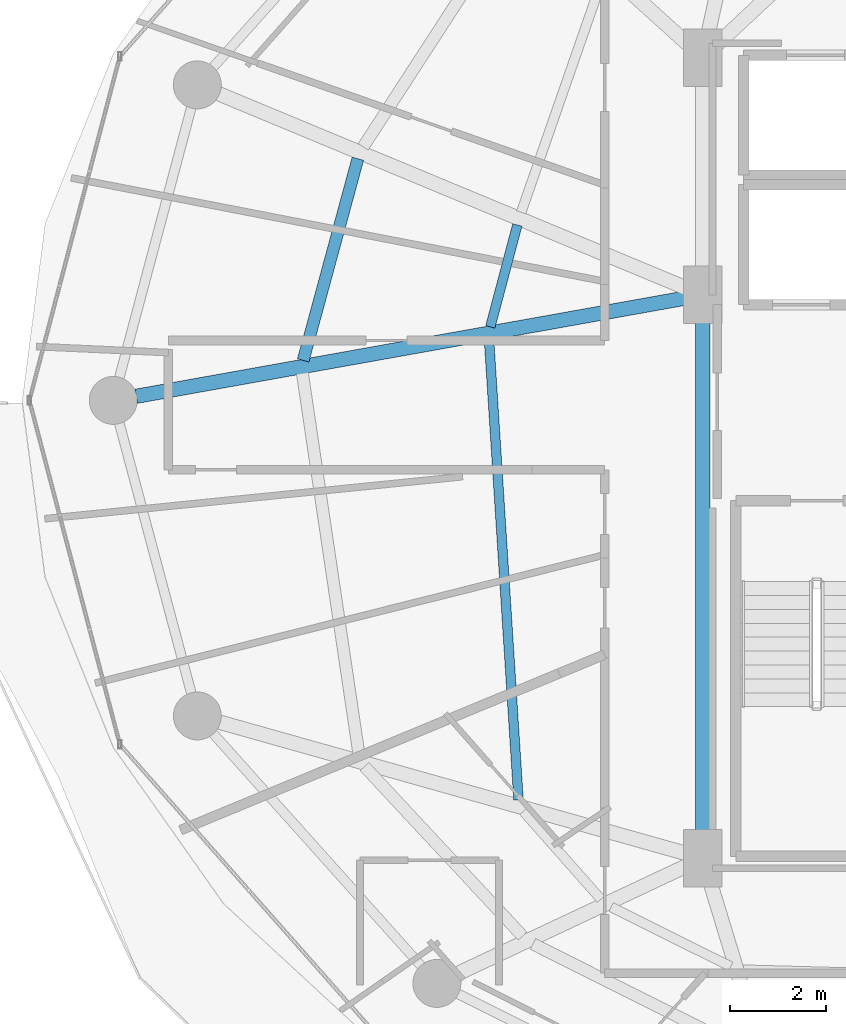
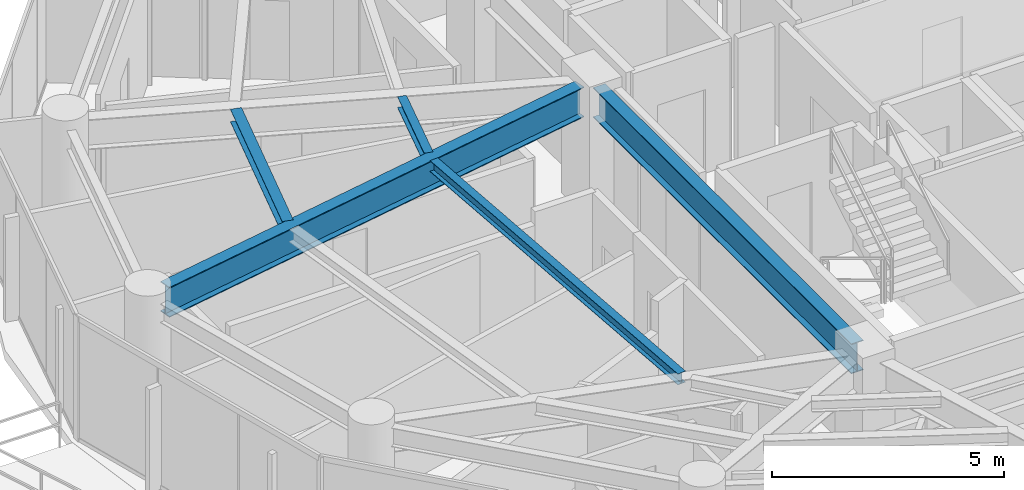
# One storey, part 7 of 28: 5 beams.
"""IFC4 building model written with IfcOpenShell, lengths in metres."""

from ifc_helpers import new_model, si_unit, direction, frame, origin, origin_2d, place, context, subcontext, project, spatial, i_section, extrude, material, material_profile, profile_set, type_object, element, save


model = new_model("IFC4")

# Units and contexts
model_context = context("Model", 3, precision=1e-05, world=origin(), true_north=direction((0.0, 1.0)))
body_context = subcontext(model_context, "Body", "Model", "MODEL_VIEW")
ifc_project = project(units=[si_unit("LENGTHUNIT", "METRE"), si_unit("AREAUNIT", "SQUARE_METRE"), si_unit("VOLUMEUNIT", "CUBIC_METRE"), si_unit("PLANEANGLEUNIT", "RADIAN"), si_unit("MASSUNIT", "GRAM", prefix="KILO")], contexts=[model_context])

# Site, building, storey
site_placement = place(None, origin())
site = spatial("IfcSite", under=ifc_project, at=site_placement, CompositionType="ELEMENT")
building_placement = place(site_placement, origin())
building = spatial("IfcBuilding", under=site, at=building_placement, Name="Vorneva Point Tower", CompositionType="ELEMENT")
storey_placement = place(building_placement, frame((0.0, 0.0, 164.10009765625)))
storey = spatial("IfcBuildingStorey", under=building, at=storey_placement, Name="L44", CompositionType="ELEMENT", Elevation=164.10009765625)

# Beams
ifc_material = material(Name="Steel S355", Category="steel")
ifc_material_profile_1 = material_profile(ifc_material, i_section(OverallWidth=0.300048828125, OverallDepth=0.7880859375, WebThickness=0.014404296875, FlangeThickness=0.02197265625, at=origin_2d()), Name="80Sh1")
ifc_profile_set_1 = profile_set([ifc_material_profile_1], Name="Steel S355")
beam_type_1 = type_object("IfcBeamType", Name="BM-GRD-80Sh1", PredefinedType="USERDEFINED", material=ifc_profile_set_1)
beam_1_placement = place(storey_placement, frame((15.430419921875, 26.0859375, 2.845947265625), z_axis=(0.984378132756, 0.176067293249, 0.0), x_axis=(-0.176067293249, 0.984378132756, 0.0)))
element("IfcBeam", 1, at=beam_1_placement, inside=storey, type_object=beam_type_1, Name="L44 Radial Primary Girder 09", ObjectType="GIRDER", PredefinedType="USERDEFINED", context=body_context, shape_type="SweptSolid", body=[
    extrude(i_section(OverallWidth=0.300048828125, OverallDepth=0.7880859375, WebThickness=0.014404296875, FlangeThickness=0.02197265625, at=origin_2d()), origin(), (0.0, 0.0, 1.0), 11.667236328125),
])
beam_2_placement = place(storey_placement, frame((27.25, 16.77001953125, 2.845947265625), z_axis=(0.0, 1.0, 0.0), x_axis=(-1.0, 0.0, 0.0)))
element("IfcBeam", 2, at=beam_2_placement, inside=storey, type_object=beam_type_1, Name="L44 Core Tie Girder CT1", ObjectType="GIRDER", PredefinedType="USERDEFINED", context=body_context, shape_type="SweptSolid", body=[
    extrude(i_section(OverallWidth=0.300048828125, OverallDepth=0.7880859375, WebThickness=0.014404296875, FlangeThickness=0.02197265625, at=origin_2d()), origin(), (0.0, 0.0, 1.0), 11.10986328125),
])
ifc_material_profile_2 = material_profile(ifc_material, i_section(OverallWidth=0.199951171875, OverallDepth=0.291015625, WebThickness=0.008056640625, FlangeThickness=0.010986328125, at=origin_2d()), Name="30Sh1")
ifc_profile_set_2 = profile_set([ifc_material_profile_2], Name="Steel S355")
beam_type_2 = type_object("IfcBeamType", Name="BM-SEC-30Sh1", PredefinedType="BEAM", material=ifc_profile_set_2)
beam_3_placement = place(storey_placement, frame((23.379638671875, 29.660400390625, 3.094482421875), z_axis=(-0.25614268373, -0.966638984095, 0.0), x_axis=(0.966638984095, -0.25614268373, 0.0)))
element("IfcBeam", 3, at=beam_3_placement, inside=storey, type_object=beam_type_2, Name="L44 Secondary Floor Beam 2.08", PredefinedType="BEAM", context=body_context, shape_type="SweptSolid", body=[
    extrude(i_section(OverallWidth=0.199951171875, OverallDepth=0.291015625, WebThickness=0.008056640625, FlangeThickness=0.010986328125, at=origin_2d()), origin(), (0.0, 0.0, 1.0), 2.199951171875),
])
beam_4_placement = place(storey_placement, frame((22.78955078125, 27.262939453125, 3.094482421875), z_axis=(0.063960566948, -0.99795242666, 0.0), x_axis=(0.99795242666, 0.063960566948, 0.0)))
element("IfcBeam", 4, at=beam_4_placement, inside=storey, type_object=beam_type_2, Name="L44 Secondary Floor Beam 2.09", PredefinedType="BEAM", context=body_context, shape_type="SweptSolid", body=[
    extrude(i_section(OverallWidth=0.199951171875, OverallDepth=0.291015625, WebThickness=0.008056640625, FlangeThickness=0.010986328125, at=origin_2d()), origin(), (0.0, 0.0, 1.0), 9.615234375),
])
ifc_material_profile_3 = material_profile(ifc_material, i_section(OverallWidth=0.2490234375, OverallDepth=0.333984375, WebThickness=0.008056640625, FlangeThickness=0.010986328125, at=origin_2d()), Name="35Sh1")
ifc_profile_set_3 = profile_set([ifc_material_profile_3], Name="Steel S355")
beam_type_3 = type_object("IfcBeamType", Name="BM-SEC-35Sh1", PredefinedType="BEAM", material=ifc_profile_set_3)
beam_5_placement = place(storey_placement, frame((20.05322265625, 31.04248046875, 3.072998046875), z_axis=(-0.261766569984, -0.965131215348, 0.0), x_axis=(0.965131215348, -0.261766569984, 0.0)))
element("IfcBeam", 5, at=beam_5_placement, inside=storey, type_object=beam_type_3, Name="L44 Secondary Floor Beam 1.08", PredefinedType="BEAM", context=body_context, shape_type="SweptSolid", body=[
    extrude(i_section(OverallWidth=0.2490234375, OverallDepth=0.333984375, WebThickness=0.008056640625, FlangeThickness=0.010986328125, at=origin_2d()), origin(), (0.0, 0.0, 1.0), 4.359375),
])

save(model, "model.ifc")
